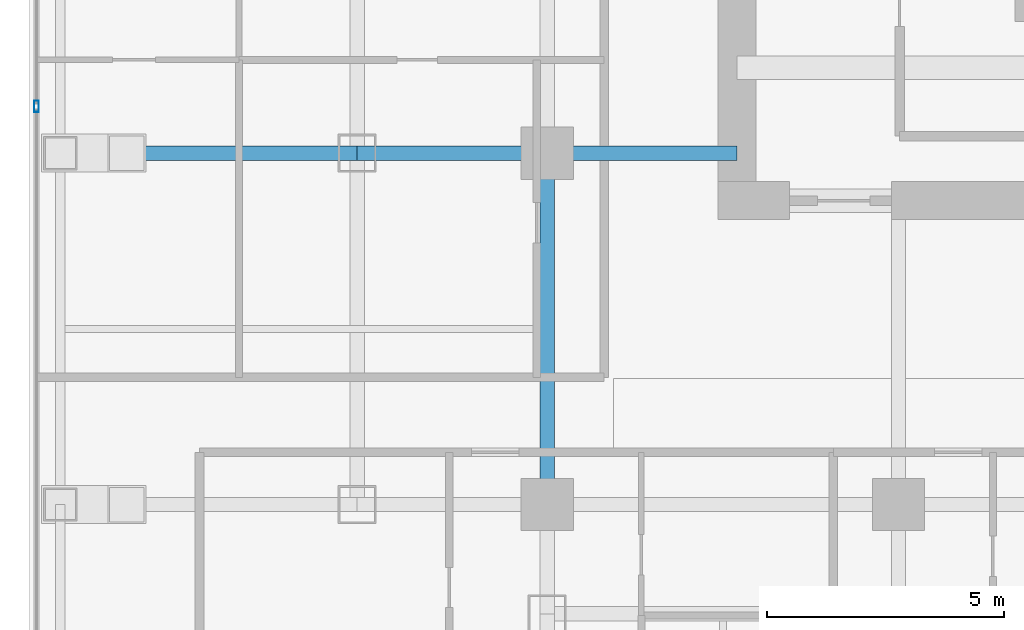
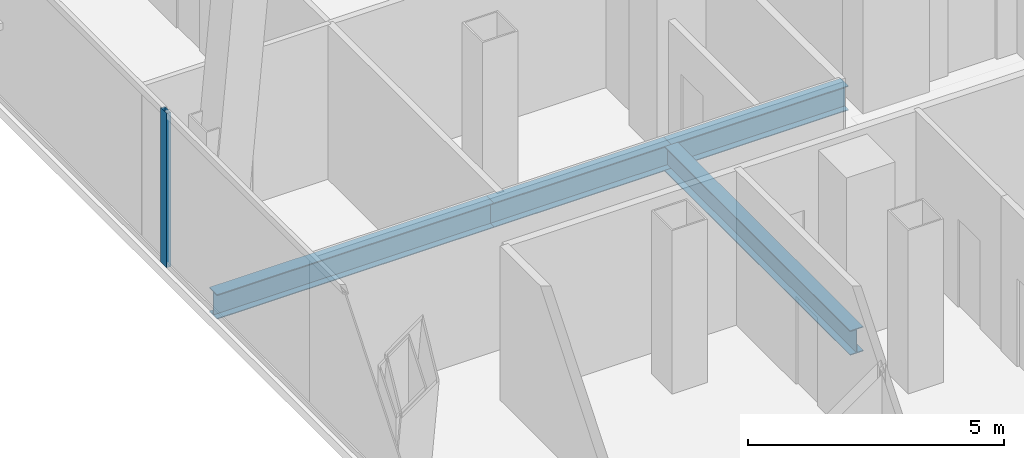
# One storey, part 8 of 34: 4 beams, 1 member, 1 element without a shape of its own.
"""IFC4 building model written with IfcOpenShell, lengths in metres."""

from ifc_helpers import new_model, si_unit, direction, frame, origin, origin_2d, place, context, subcontext, project, spatial, hollow_rectangle, i_section, extrude, material, layer, layer_set, material_profile, profile_set, type_object, element, aggregate, save


model = new_model("IFC4")

# Units and contexts
model_context = context("Model", 3, precision=1e-05, world=origin(), true_north=direction((0.0, 1.0)))
body_context = subcontext(model_context, "Body", "Model", "MODEL_VIEW")
ifc_project = project(units=[si_unit("LENGTHUNIT", "METRE"), si_unit("AREAUNIT", "SQUARE_METRE"), si_unit("VOLUMEUNIT", "CUBIC_METRE"), si_unit("PLANEANGLEUNIT", "RADIAN"), si_unit("MASSUNIT", "GRAM", prefix="KILO")], contexts=[model_context])

# Site, building, storey
site_placement = place(None, origin())
site = spatial("IfcSite", under=ifc_project, at=site_placement, CompositionType="ELEMENT")
building_placement = place(site_placement, origin())
building = spatial("IfcBuilding", under=site, at=building_placement, Name="Khorvyn Point Tower", CompositionType="ELEMENT")
storey_placement = place(building_placement, frame((0.0, 0.0, 175.800048828125)))
storey = spatial("IfcBuildingStorey", under=building, at=storey_placement, Name="L43", CompositionType="ELEMENT", Elevation=175.800048828125)

# Curtain wall, member
ifc_material_1 = material(Name="Anodised aluminium 6063-T6 and laminated Low-E glass", Category="aluminium")
ifc_layer = layer(ifc_material_1, 0.18994140625)
ifc_layer_set = layer_set([ifc_layer], Name="Stick-Built Acoustic Curtain Wall CW-SYS-03")
curtain_wall_type = type_object("IfcCurtainWallType", Name="Stick-Built Acoustic Curtain Wall CW-SYS-03", PredefinedType="NOTDEFINED", material=ifc_layer_set)
curtain_wall_placement = place(storey_placement, origin())
curtain_wall = element("IfcCurtainWall", 1, at=curtain_wall_placement, inside=storey, type_object=curtain_wall_type, Name="Curtain Wall", PredefinedType="NOTDEFINED")
ifc_material_2 = material(Name="Anodised aluminium 6063-T6", Category="aluminium")
ifc_material_profile_1 = material_profile(ifc_material_2, hollow_rectangle(XDim=0.10009765625, YDim=0.239990234375, WallThickness=0.0048828125, at=origin_2d()))
ifc_profile_set_1 = profile_set([ifc_material_profile_1], Name="Anodised aluminium 6063-T6 ALU-MUL-100x240")
member_type = type_object("IfcMemberType", Name="Anodised Aluminium 6063-T6 Mullion ALU-MUL-100x240", PredefinedType="MULLION", material=ifc_profile_set_1)
member_placement = place(storey_placement, frame((-25.550048828125, -6.416748046875, 0.0), z_axis=(0.0, 0.0, 1.0), x_axis=(-1.0, 0.0, 0.0)))
member = element("IfcMember", 2, at=member_placement, type_object=member_type, Name="Transom", PredefinedType="MULLION", context=body_context, shape_type="SweptSolid", body=[
    extrude(hollow_rectangle(XDim=0.10009765625, YDim=0.239990234375, WallThickness=0.0048828125, at=origin_2d()), origin(), (0.0, 0.0, 1.0), 3.679931640625),
])
aggregate(curtain_wall, [member])

# Beams
ifc_material_3 = material(Name="Steel S355", Category="steel")
ifc_material_profile_2 = material_profile(ifc_material_3, i_section(OverallWidth=0.300048828125, OverallDepth=0.587890625, WebThickness=0.011962890625, FlangeThickness=0.02001953125, at=origin_2d()))
ifc_profile_set_2 = profile_set([ifc_material_profile_2], Name="Steel S355 H588x300x12x20")
beam_type = type_object("IfcBeamType", Name="Steel S355 Beam H588x300x12x20", PredefinedType="BEAM", material=ifc_profile_set_2)
beam_1_placement = place(storey_placement, frame((-25.050048828125, -7.39990234375, -0.51416015625), z_axis=(1.0, 0.0, 0.0), x_axis=(0.0, 1.0, 0.0)))
element("IfcBeam", 3, at=beam_1_placement, inside=storey, type_object=beam_type, Name="Beam", PredefinedType="BEAM", context=body_context, shape_type="SweptSolid", body=[
    extrude(i_section(OverallWidth=0.300048828125, OverallDepth=0.587890625, WebThickness=0.011962890625, FlangeThickness=0.02001953125, at=origin_2d()), origin(), (0.0, 0.0, 1.0), 6.25),
])
for number, where, z_axis, x_axis, name in (
    (4, (-18.800048828125, -7.39990234375, -0.51416015625), (1.0, 0.0, 0.0), (0.0, 1.0, 0.0), "Beam"),
    (5, (-14.800048828125, -7.39990234375, -0.51416015625), (1.0, 0.0, 0.0), (0.0, 1.0, 0.0), "Beam"),
):
    element("IfcBeam", number, at=place(storey_placement, frame(where, z_axis=z_axis, x_axis=x_axis)), inside=storey, type_object=beam_type, Name=name, PredefinedType="BEAM", context=body_context, shape_type="SweptSolid", body=[
        extrude(i_section(OverallWidth=0.300048828125, OverallDepth=0.587890625, WebThickness=0.011962890625, FlangeThickness=0.02001953125, at=origin_2d()), origin(), (0.0, 0.0, 1.0), 4.0),
    ])
beam_2_placement = place(storey_placement, frame((-14.800048828125, -14.800048828125, -0.51416015625), z_axis=(0.0, 1.0, 0.0), x_axis=(-1.0, 0.0, 0.0)))
element("IfcBeam", 6, at=beam_2_placement, inside=storey, type_object=beam_type, Name="Beam", PredefinedType="BEAM", context=body_context, shape_type="SweptSolid", body=[
    extrude(i_section(OverallWidth=0.300048828125, OverallDepth=0.587890625, WebThickness=0.011962890625, FlangeThickness=0.02001953125, at=origin_2d()), origin(), (0.0, 0.0, 1.0), 7.400146484375),
])

save(model, "model.ifc")
